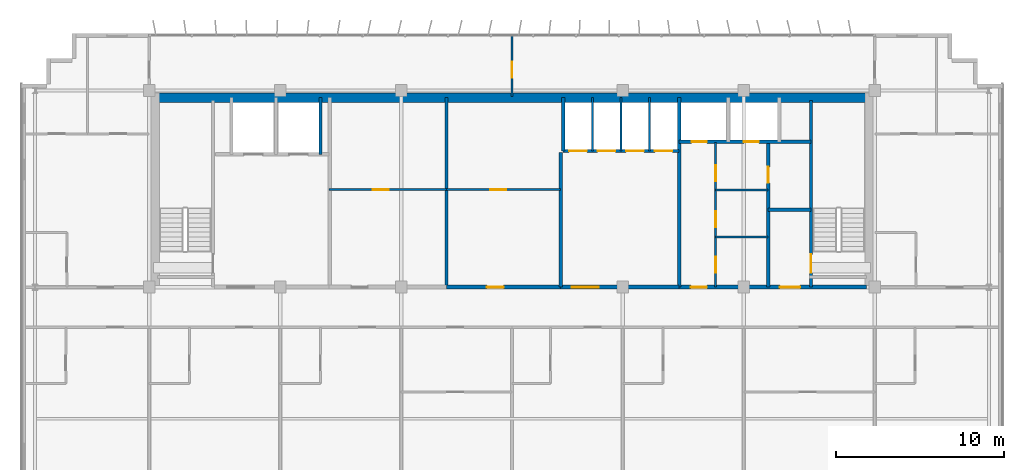
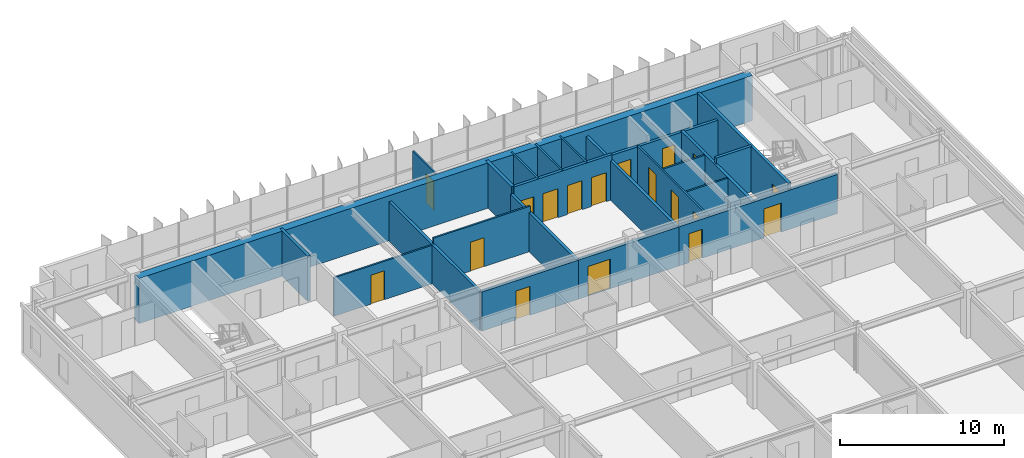
# One storey, part 20 of 23: 23 walls, 18 doors, 18 openings.
"""IFC4 building model written with IfcOpenShell, lengths in metres."""

from ifc_helpers import new_model, si_unit, direction, frame, frame_2d, origin, place, context, subcontext, project, spatial, rectangle, extrude, source, transform, mapped, material, layer, layer_set, type_object, element, fill, save


model = new_model("IFC4")

# Units and contexts
model_context = context("Model", 3, precision=1e-05, world=origin(), true_north=direction((0.0, 1.0)))
body_context = subcontext(model_context, "Body", "Model", "MODEL_VIEW")
ifc_project = project(units=[si_unit("LENGTHUNIT", "METRE"), si_unit("AREAUNIT", "SQUARE_METRE"), si_unit("VOLUMEUNIT", "CUBIC_METRE"), si_unit("PLANEANGLEUNIT", "RADIAN"), si_unit("MASSUNIT", "GRAM", prefix="KILO")], contexts=[model_context])

# Site, building, storey
site_placement = place(None, origin())
site = spatial("IfcSite", under=ifc_project, at=site_placement, CompositionType="ELEMENT")
building_placement = place(site_placement, origin())
building = spatial("IfcBuilding", under=site, at=building_placement, Name="Trelvane Seafront Commons", CompositionType="ELEMENT")
storey_placement = place(building_placement, frame((0.0, 0.0, 222.89990234375)))
storey = spatial("IfcBuildingStorey", under=building, at=storey_placement, Name="L58", CompositionType="ELEMENT", Elevation=222.89990234375)

# Wall, opening, door
ifc_material_1 = material(Name="Concrete C40/50", Category="concrete")
ifc_layer_1 = layer(ifc_material_1, 0.199951171875, Name="ARCH-WALL-FIRE200")
ifc_layer_set_1 = layer_set([ifc_layer_1], Name="Concrete C40/50")
wall_type_1 = type_object("IfcWallType", Name="ARCH-WALL-FIRE200", PredefinedType="PARTITIONING", material=ifc_layer_set_1)
wall_1_placement = place(storey_placement, frame((52.449951171875, 33.39990234375, 0.0), z_axis=(0.0, 0.0, 1.0), x_axis=(0.0, 1.0, 0.0)))
wall_1 = element("IfcWall", 1, at=wall_1_placement, inside=storey, type_object=wall_type_1, Name="W-L58-ST2V-W-030", PredefinedType="PARTITIONING", context=body_context, shape_type="SweptSolid", body=[
    extrude(rectangle(XDim=8.650146484375, YDim=0.199951171875, at=frame_2d((4.3251953125, 0.0))), origin(), (0.0, 0.0, 1.0), 2.91015625),
])
opening_1_placement = place(wall_1_placement, frame((6.199951171875, 0.0, 0.0)))
opening_1 = element("IfcOpeningElement", 2, at=opening_1_placement, cuts=wall_1, Name="Opening FD-L58-17", PredefinedType="OPENING", context=body_context, shape_type="SweptSolid", body=[
    extrude(rectangle(XDim=0.949951171875, YDim=2.14990234375, at=frame_2d((0.47509765625, 1.074951171875))), frame((0.0, 0.10986328125, 0.0), z_axis=(0.0, -1.0, 0.0), x_axis=(1.0, 0.0, 0.0)), (0.0, 0.0, 1.0), 0.219970703125),
])
ifc_material_2 = material(Name="Powder-coated aluminium frame", Category="aluminium")
door_type_1 = type_object("IfcDoorType", Name="ARCH-DR-FD60-950", OperationType="NOTDEFINED", PredefinedType="DOOR", material=ifc_material_2)
shared_shape_1 = source(origin(), body_context, "Body", "SweptSolid", [
    extrude(rectangle(XDim=0.949951171875, YDim=2.14990234375, at=frame_2d((0.47509765625, 1.074951171875))), frame((0.0, 0.02490234375, 0.0), z_axis=(0.0, -1.0, 0.0), x_axis=(1.0, 0.0, 0.0)), (0.0, 0.0, 1.0), 0.050048828125),
])
door_1_placement = place(opening_1_placement, origin())
door_1 = element("IfcDoor", 3, at=door_1_placement, inside=storey, type_object=door_type_1, Name="L58 Cleaner Store Door", OperationType="SINGLE_SWING_LEFT", OverallHeight=2.14990234375, OverallWidth=0.949951171875, PredefinedType="DOOR", context=body_context, shape_type="MappedRepresentation", body=[
    mapped(shared_shape_1, transform((0.0, 0.0, 0.0), x_axis=(1.0, 0.0, 0.0), y_axis=(0.0, 1.0, 0.0), z_axis=(0.0, 0.0, 1.0), scale=1.0)),
])
fill(opening_1, door_1)

# Wall
wall_2_placement = place(storey_placement, frame((52.449951171875, 38.0, 0.0), z_axis=(0.0, 0.0, 1.0), x_axis=(1.0, 0.0, 0.0)))
element("IfcWall", 4, at=wall_2_placement, inside=storey, type_object=wall_type_1, Name="W-L58-ST2V-N-031", PredefinedType="PARTITIONING", context=body_context, shape_type="SweptSolid", body=[
    extrude(rectangle(XDim=2.550048828125, YDim=0.199951171875, at=frame_2d((1.27490234375, 0.0))), origin(), (0.0, 0.0, 1.0), 3.360107421875),
])

# Wall, opening, door
ifc_layer_2 = layer(ifc_material_1, 0.25, Name="ARCH-WALL-FIRE250")
ifc_layer_set_2 = layer_set([ifc_layer_2], Name="Concrete C40/50")
wall_type_2 = type_object("IfcWallType", Name="ARCH-WALL-FIRE250", PredefinedType="PARTITIONING", material=ifc_layer_set_2)
wall_3_placement = place(storey_placement, frame((33.300048828125, 33.39990234375, 0.0), z_axis=(0.0, 0.0, 1.0), x_axis=(1.0, 0.0, 0.0)))
wall_3 = element("IfcWall", 5, at=wall_3_placement, inside=storey, type_object=wall_type_2, Name="W-L58-CS-FPM-025", PredefinedType="PARTITIONING", context=body_context, shape_type="SweptSolid", body=[
    extrude(rectangle(XDim=6.800048828125, YDim=0.25, at=frame_2d((3.39990234375, 0.0))), origin(), (0.0, 0.0, 1.0), 2.91015625),
])
opening_2_placement = place(wall_3_placement, frame((2.39990234375, 0.0, 0.0)))
opening_2 = element("IfcOpeningElement", 6, at=opening_2_placement, cuts=wall_3, Name="Opening FD-L58-13", PredefinedType="OPENING", context=body_context, shape_type="SweptSolid", body=[
    extrude(rectangle(XDim=1.0, YDim=2.14990234375, at=frame_2d((0.5, 1.074951171875))), frame((0.0, 0.135009765625, 0.0), z_axis=(0.0, -1.0, 0.0), x_axis=(1.0, 0.0, 0.0)), (0.0, 0.0, 1.0), 0.27001953125),
])
door_type_2 = type_object("IfcDoorType", Name="ARCH-DR-FD60-1000", OperationType="NOTDEFINED", PredefinedType="DOOR", material=ifc_material_2)
shared_shape_2 = source(origin(), body_context, "Body", "SweptSolid", [
    extrude(rectangle(XDim=1.0, YDim=2.14990234375, at=frame_2d((0.5, 1.074951171875))), frame((0.0, 0.02490234375, 0.0), z_axis=(0.0, -1.0, 0.0), x_axis=(1.0, 0.0, 0.0)), (0.0, 0.0, 1.0), 0.050048828125),
])
door_2_placement = place(opening_2_placement, origin())
door_2 = element("IfcDoor", 7, at=door_2_placement, inside=storey, type_object=door_type_2, Name="L58 Trunk Storage Door", OperationType="SINGLE_SWING_LEFT", OverallHeight=2.14990234375, OverallWidth=1.0, PredefinedType="DOOR", context=body_context, shape_type="MappedRepresentation", body=[
    mapped(shared_shape_2, transform((0.0, 0.0, 0.0), x_axis=(1.0, 0.0, 0.0), y_axis=(0.0, 1.0, 0.0), z_axis=(0.0, 0.0, 1.0), scale=1.0)),
])
fill(opening_2, door_2)

wall_4_placement = place(storey_placement, frame((40.10009765625, 33.39990234375, 0.0), z_axis=(0.0, 0.0, 1.0), x_axis=(1.0, 0.0, 0.0)))
wall_4 = element("IfcWall", 8, at=wall_4_placement, inside=storey, type_object=wall_type_2, Name="W-L58-CS-PAX-026", PredefinedType="PARTITIONING", context=body_context, shape_type="SweptSolid", body=[
    extrude(rectangle(XDim=7.0498046875, YDim=0.25, at=frame_2d((3.52490234375, 0.0))), origin(), (0.0, 0.0, 1.0), 2.91015625),
])
opening_3_placement = place(wall_4_placement, frame((0.64990234375, 0.0, 0.0)))
opening_3 = element("IfcOpeningElement", 9, at=opening_3_placement, cuts=wall_4, Name="Opening FD-L58-14", PredefinedType="OPENING", context=body_context, shape_type="SweptSolid", body=[
    extrude(rectangle(XDim=1.60009765625, YDim=2.199951171875, at=frame_2d((0.800048828125, 1.10009765625))), frame((0.0, 0.135009765625, 0.0), z_axis=(0.0, -1.0, 0.0), x_axis=(1.0, 0.0, 0.0)), (0.0, 0.0, 1.0), 0.27001953125),
])
door_type_3 = type_object("IfcDoorType", Name="ARCH-DR-FD60-1600", OperationType="DOUBLE_DOOR_SINGLE_SWING", PredefinedType="DOOR", material=ifc_material_2)
shared_shape_3 = source(origin(), body_context, "Body", "SweptSolid", [
    extrude(rectangle(XDim=1.60009765625, YDim=2.199951171875, at=frame_2d((0.800048828125, 1.10009765625))), frame((0.0, 0.02490234375, 0.0), z_axis=(0.0, -1.0, 0.0), x_axis=(1.0, 0.0, 0.0)), (0.0, 0.0, 1.0), 0.050048828125),
])
door_3_placement = place(opening_3_placement, origin())
door_3 = element("IfcDoor", 10, at=door_3_placement, inside=storey, type_object=door_type_3, Name="L58 High-Rise Lift Lobby Double Door", OperationType="DOUBLE_DOOR_SINGLE_SWING", OverallHeight=2.199951171875, OverallWidth=1.60009765625, PredefinedType="DOOR", context=body_context, shape_type="MappedRepresentation", body=[
    mapped(shared_shape_3, transform((0.0, 0.0, 0.0), x_axis=(1.0, 0.0, 0.0), y_axis=(0.0, 1.0, 0.0), z_axis=(0.0, 0.0, 1.0), scale=1.0)),
])
fill(opening_3, door_3)

# Wall, openings, doors
wall_5_placement = place(storey_placement, frame((47.14990234375, 33.39990234375, 0.0), z_axis=(0.0, 0.0, 1.0), x_axis=(1.0, 0.0, 0.0)))
wall_5 = element("IfcWall", 11, at=wall_5_placement, inside=storey, type_object=wall_type_2, Name="W-L58-CS-EAST-035", PredefinedType="PARTITIONING", context=body_context, shape_type="SweptSolid", body=[
    extrude(rectangle(XDim=11.150146484375, YDim=0.25, at=frame_2d((5.5751953125, 0.0))), origin(), (0.0, 0.0, 1.0), 2.91015625),
])
opening_4_placement = place(wall_5_placement, frame((0.699951171875, 0.0, 0.0)))
opening_4 = element("IfcOpeningElement", 12, at=opening_4_placement, cuts=wall_5, Name="Opening FD-L58-21", PredefinedType="OPENING", context=body_context, shape_type="SweptSolid", body=[
    extrude(rectangle(XDim=0.949951171875, YDim=2.14990234375, at=frame_2d((0.47509765625, 1.074951171875))), frame((0.0, 0.135009765625, 0.0), z_axis=(0.0, -1.0, 0.0), x_axis=(1.0, 0.0, 0.0)), (0.0, 0.0, 1.0), 0.27001953125),
])
opening_5_placement = place(wall_5_placement, frame((6.0, 0.0, 0.0)))
opening_5 = element("IfcOpeningElement", 13, at=opening_5_placement, cuts=wall_5, Name="Opening FD-L58-22", PredefinedType="OPENING", context=body_context, shape_type="SweptSolid", body=[
    extrude(rectangle(XDim=1.199951171875, YDim=2.14990234375, at=frame_2d((0.60009765625, 1.074951171875))), frame((0.0, 0.135009765625, 0.0), z_axis=(0.0, -1.0, 0.0), x_axis=(1.0, 0.0, 0.0)), (0.0, 0.0, 1.0), 0.27001953125),
])
door_4_placement = place(opening_4_placement, origin())
door_4 = element("IfcDoor", 14, at=door_4_placement, inside=storey, type_object=door_type_1, Name="L58 Core Service Lobby Door", OperationType="SINGLE_SWING_LEFT", OverallHeight=2.14990234375, OverallWidth=0.949951171875, PredefinedType="DOOR", context=body_context, shape_type="MappedRepresentation", body=[
    mapped(shared_shape_1, transform((0.0, 0.0, 0.0), x_axis=(1.0, 0.0, 0.0), y_axis=(0.0, 1.0, 0.0), z_axis=(0.0, 0.0, 1.0), scale=1.0)),
])
fill(opening_4, door_4)
door_type_4 = type_object("IfcDoorType", Name="ARCH-DR-FD60-1200", OperationType="NOTDEFINED", PredefinedType="DOOR", material=ifc_material_2)
shared_shape_4 = source(origin(), body_context, "Body", "SweptSolid", [
    extrude(rectangle(XDim=1.199951171875, YDim=2.14990234375, at=frame_2d((0.60009765625, 1.074951171875))), frame((0.0, 0.02490234375, 0.0), z_axis=(0.0, -1.0, 0.0), x_axis=(1.0, 0.0, 0.0)), (0.0, 0.0, 1.0), 0.050048828125),
])
door_5_placement = place(opening_5_placement, origin())
door_5 = element("IfcDoor", 15, at=door_5_placement, inside=storey, type_object=door_type_4, Name="L58 East Stair Vestibule Fire Door", OperationType="SINGLE_SWING_RIGHT", OverallHeight=2.14990234375, OverallWidth=1.199951171875, PredefinedType="DOOR", context=body_context, shape_type="MappedRepresentation", body=[
    mapped(shared_shape_4, transform((0.0, 0.0, 0.0), x_axis=(1.0, 0.0, 0.0), y_axis=(0.0, 1.0, 0.0), z_axis=(0.0, 0.0, 1.0), scale=1.0)),
])
fill(opening_5, door_5)

# Wall, opening, door
ifc_material_3 = material(Name="Gypsum Drywall Acoustic Partition")
ifc_layer_3 = layer(ifc_material_3, 0.1201171875, Name="ARCH-WALL-PART120")
ifc_layer_set_3 = layer_set([ifc_layer_3], Name="Gypsum Drywall Acoustic Partition")
wall_type_3 = type_object("IfcWallType", Name="ARCH-WALL-PART120", PredefinedType="PARTITIONING", material=ifc_layer_set_3)
wall_6_placement = place(storey_placement, frame((26.300048828125, 39.199951171875, 0.0), z_axis=(0.0, 0.0, 1.0), x_axis=(1.0, 0.0, 0.0)))
wall_6 = element("IfcWall", 16, at=wall_6_placement, inside=storey, type_object=wall_type_3, Name="W-L58-FREED-PL-MID-014", PredefinedType="PARTITIONING", context=body_context, shape_type="SweptSolid", body=[
    extrude(rectangle(XDim=7.0, YDim=0.1201171875, at=frame_2d((3.5, 0.0))), origin(), (0.0, 0.0, 1.0), 2.860107421875),
])
opening_6_placement = place(wall_6_placement, frame((2.60009765625, 0.0, 0.0)))
opening_6 = element("IfcOpeningElement", 17, at=opening_6_placement, cuts=wall_6, Name="Opening D-L58-06", PredefinedType="OPENING", context=body_context, shape_type="SweptSolid", body=[
    extrude(rectangle(XDim=0.949951171875, YDim=2.14990234375, at=frame_2d((0.47509765625, 1.074951171875))), frame((0.0, 0.070068359375, 0.0), z_axis=(0.0, -1.0, 0.0), x_axis=(1.0, 0.0, 0.0)), (0.0, 0.0, 1.0), 0.14013671875),
])
ifc_material_4 = material(Name="Acoustic timber door leaf", Category="wood")
door_type_5 = type_object("IfcDoorType", Name="ARCH-DR-INT950", OperationType="NOTDEFINED", PredefinedType="DOOR", material=ifc_material_4)
door_6_placement = place(opening_6_placement, origin())
door_6 = element("IfcDoor", 18, at=door_6_placement, inside=storey, type_object=door_type_5, Name="L58 Housekeeping Store Door", OperationType="SINGLE_SWING_RIGHT", OverallHeight=2.14990234375, OverallWidth=0.949951171875, PredefinedType="DOOR", context=body_context, shape_type="MappedRepresentation", body=[
    mapped(shared_shape_1, transform((0.0, 0.0, 0.0), x_axis=(1.0, 0.0, 0.0), y_axis=(0.0, 1.0, 0.0), z_axis=(0.0, 0.0, 1.0), scale=1.0)),
])
fill(opening_6, door_6)

wall_7_placement = place(storey_placement, frame((33.300048828125, 39.199951171875, 0.0), z_axis=(0.0, 0.0, 1.0), x_axis=(1.0, 0.0, 0.0)))
wall_7 = element("IfcWall", 19, at=wall_7_placement, inside=storey, type_object=wall_type_3, Name="W-L58-FREED-PM-MID-016", PredefinedType="PARTITIONING", context=body_context, shape_type="SweptSolid", body=[
    extrude(rectangle(XDim=6.800048828125, YDim=0.1201171875, at=frame_2d((3.39990234375, 0.0))), origin(), (0.0, 0.0, 1.0), 3.360107421875),
])
opening_7_placement = place(wall_7_placement, frame((2.60009765625, 0.0, 0.0)))
opening_7 = element("IfcOpeningElement", 20, at=opening_7_placement, cuts=wall_7, Name="Opening D-L58-07", PredefinedType="OPENING", context=body_context, shape_type="SweptSolid", body=[
    extrude(rectangle(XDim=0.949951171875, YDim=2.14990234375, at=frame_2d((0.47509765625, 1.074951171875))), frame((0.0, 0.070068359375, 0.0), z_axis=(0.0, -1.0, 0.0), x_axis=(1.0, 0.0, 0.0)), (0.0, 0.0, 1.0), 0.14013671875),
])
door_7_placement = place(opening_7_placement, origin())
door_7 = element("IfcDoor", 21, at=door_7_placement, inside=storey, type_object=door_type_5, Name="L58 IT Comms Room Door", OperationType="SINGLE_SWING_LEFT", OverallHeight=2.14990234375, OverallWidth=0.949951171875, PredefinedType="DOOR", context=body_context, shape_type="MappedRepresentation", body=[
    mapped(shared_shape_1, transform((0.0, 0.0, 0.0), x_axis=(1.0, 0.0, 0.0), y_axis=(0.0, 1.0, 0.0), z_axis=(0.0, 0.0, 1.0), scale=1.0)),
])
fill(opening_7, door_7)

# Walls
for number, where, z_axis, x_axis, name in (
    (22, (42.0, 41.5, 0.0), (0.0, 0.0, 1.0), (0.0, 1.0, 0.0), "W-L58-PH-DIV1-020"),
    (23, (43.699951171875, 41.5, 0.0), (0.0, 0.0, 1.0), (0.0, 1.0, 0.0), "W-L58-PH-DIV2-021"),
    (24, (45.39990234375, 41.5, 0.0), (0.0, 0.0, 1.0), (0.0, 1.0, 0.0), "W-L58-PH-DIV3-022"),
):
    element("IfcWall", number, at=place(storey_placement, frame(where, z_axis=z_axis, x_axis=x_axis)), inside=storey, type_object=wall_type_3, Name=name, PredefinedType="PARTITIONING", context=body_context, shape_type="SweptSolid", body=[
        extrude(rectangle(XDim=3.199951171875, YDim=0.1201171875, at=frame_2d((1.60009765625, 0.0))), origin(), (0.0, 0.0, 1.0), 3.360107421875),
    ])

# Wall, openings, doors
wall_8_placement = place(storey_placement, frame((49.320068359375, 33.39990234375, 0.0), z_axis=(0.0, 0.0, 1.0), x_axis=(0.0, 1.0, 0.0)))
wall_8 = element("IfcWall", 25, at=wall_8_placement, inside=storey, type_object=wall_type_3, Name="W-L58-CYC3-V-032", PredefinedType="PARTITIONING", context=body_context, shape_type="SweptSolid", body=[
    extrude(rectangle(XDim=8.60009765625, YDim=0.1201171875, at=frame_2d((4.300048828125, 0.0))), origin(), (0.0, 0.0, 1.0), 2.91015625),
])
opening_8_placement = place(wall_8_placement, frame((0.85009765625, 0.0, 0.0)))
opening_8 = element("IfcOpeningElement", 26, at=opening_8_placement, cuts=wall_8, Name="Opening D-L58-18", PredefinedType="OPENING", context=body_context, shape_type="SweptSolid", body=[
    extrude(rectangle(XDim=0.949951171875, YDim=2.14990234375, at=frame_2d((0.47509765625, 1.074951171875))), frame((0.0, 0.070068359375, 0.0), z_axis=(0.0, -1.0, 0.0), x_axis=(1.0, 0.0, 0.0)), (0.0, 0.0, 1.0), 0.14013671875),
])
opening_9_placement = place(wall_8_placement, frame((3.550048828125, 0.0, 0.0)))
opening_9 = element("IfcOpeningElement", 27, at=opening_9_placement, cuts=wall_8, Name="Opening D-L58-19", PredefinedType="OPENING", context=body_context, shape_type="SweptSolid", body=[
    extrude(rectangle(XDim=0.949951171875, YDim=2.14990234375, at=frame_2d((0.47509765625, 1.074951171875))), frame((0.0, 0.070068359375, 0.0), z_axis=(0.0, -1.0, 0.0), x_axis=(1.0, 0.0, 0.0)), (0.0, 0.0, 1.0), 0.14013671875),
])
opening_10_placement = place(wall_8_placement, frame((6.300048828125, 0.0, 0.0)))
opening_10 = element("IfcOpeningElement", 28, at=opening_10_placement, cuts=wall_8, Name="Opening D-L58-20", PredefinedType="OPENING", context=body_context, shape_type="SweptSolid", body=[
    extrude(rectangle(XDim=0.949951171875, YDim=2.14990234375, at=frame_2d((0.47509765625, 1.074951171875))), frame((0.0, 0.070068359375, 0.0), z_axis=(0.0, -1.0, 0.0), x_axis=(1.0, 0.0, 0.0)), (0.0, 0.0, 1.0), 0.14013671875),
])
door_8_placement = place(opening_8_placement, origin())
door_8 = element("IfcDoor", 29, at=door_8_placement, inside=storey, type_object=door_type_5, Name="L58 Accessible WC Door", OperationType="SINGLE_SWING_RIGHT", OverallHeight=2.14990234375, OverallWidth=0.949951171875, PredefinedType="DOOR", context=body_context, shape_type="MappedRepresentation", body=[
    mapped(shared_shape_1, transform((0.0, 0.0, 0.0), x_axis=(1.0, 0.0, 0.0), y_axis=(0.0, 1.0, 0.0), z_axis=(0.0, 0.0, 1.0), scale=1.0)),
])
fill(opening_8, door_8)
door_9_placement = place(opening_9_placement, origin())
door_9 = element("IfcDoor", 30, at=door_9_placement, inside=storey, type_object=door_type_5, Name="L58 Staff WC Door", OperationType="SINGLE_SWING_LEFT", OverallHeight=2.14990234375, OverallWidth=0.949951171875, PredefinedType="DOOR", context=body_context, shape_type="MappedRepresentation", body=[
    mapped(shared_shape_1, transform((0.0, 0.0, 0.0), x_axis=(1.0, 0.0, 0.0), y_axis=(0.0, 1.0, 0.0), z_axis=(0.0, 0.0, 1.0), scale=1.0)),
])
fill(opening_9, door_9)
door_10_placement = place(opening_10_placement, origin())
door_10 = element("IfcDoor", 31, at=door_10_placement, inside=storey, type_object=door_type_5, Name="L58 Electrical Room Door", OperationType="SINGLE_SWING_RIGHT", OverallHeight=2.14990234375, OverallWidth=0.949951171875, PredefinedType="DOOR", context=body_context, shape_type="MappedRepresentation", body=[
    mapped(shared_shape_1, transform((0.0, 0.0, 0.0), x_axis=(1.0, 0.0, 0.0), y_axis=(0.0, 1.0, 0.0), z_axis=(0.0, 0.0, 1.0), scale=1.0)),
])
fill(opening_10, door_10)

# Walls
for number, where, z_axis, x_axis, name in (
    (32, (49.320068359375, 36.3798828125, 0.0), (0.0, 0.0, 1.0), (1.0, 0.0, 0.0), "W-L58-CYC3-H1-033"),
    (33, (49.320068359375, 39.179931640625, 0.0), (0.0, 0.0, 1.0), (1.0, 0.0, 0.0), "W-L58-CYC3-H2-034"),
):
    element("IfcWall", number, at=place(storey_placement, frame(where, z_axis=z_axis, x_axis=x_axis)), inside=storey, type_object=wall_type_3, Name=name, PredefinedType="PARTITIONING", context=body_context, shape_type="SweptSolid", body=[
        extrude(rectangle(XDim=3.1298828125, YDim=0.1201171875, at=frame_2d((1.56494140625, 0.0))), origin(), (0.0, 0.0, 1.0), 2.860107421875),
    ])

# Wall, opening, door
wall_9_placement = place(storey_placement, frame((37.199951171875, 44.75, 0.0), z_axis=(0.0, 0.0, 1.0), x_axis=(0.0, 1.0, 0.0)))
wall_9 = element("IfcWall", 34, at=wall_9_placement, inside=storey, type_object=wall_type_3, Name="W-L58-N-MID-DV-048", PredefinedType="PARTITIONING", context=body_context, shape_type="SweptSolid", body=[
    extrude(rectangle(XDim=3.610107421875, YDim=0.1201171875, at=frame_2d((1.80517578125, 0.0))), origin(), (0.0, 0.0, 1.0), 2.91015625),
])
opening_11_placement = place(wall_9_placement, frame((1.10009765625, 0.0, 0.0)))
opening_11 = element("IfcOpeningElement", 35, at=opening_11_placement, cuts=wall_9, Name="Opening D-L58-31", PredefinedType="OPENING", context=body_context, shape_type="SweptSolid", body=[
    extrude(rectangle(XDim=0.949951171875, YDim=2.14990234375, at=frame_2d((0.47509765625, 1.074951171875))), frame((0.0, 0.070068359375, 0.0), z_axis=(0.0, -1.0, 0.0), x_axis=(1.0, 0.0, 0.0)), (0.0, 0.0, 1.0), 0.14013671875),
])
door_11_placement = place(opening_11_placement, origin())
door_11 = element("IfcDoor", 36, at=door_11_placement, inside=storey, type_object=door_type_5, Name="L58 Door 31", OperationType="SINGLE_SWING_LEFT", OverallHeight=2.14990234375, OverallWidth=0.949951171875, PredefinedType="DOOR", context=body_context, shape_type="MappedRepresentation", body=[
    mapped(shared_shape_1, transform((0.0, 0.0, 0.0), x_axis=(1.0, 0.0, 0.0), y_axis=(0.0, 1.0, 0.0), z_axis=(0.0, 0.0, 1.0), scale=1.0)),
])
fill(opening_11, door_11)

# Walls
ifc_layer_4 = layer(ifc_material_1, 0.199951171875, Name="ARCH-WALL-SHAFT200")
ifc_layer_set_4 = layer_set([ifc_layer_4], Name="Concrete C40/50")
wall_type_4 = type_object("IfcWallType", Name="ARCH-WALL-SHAFT200", PredefinedType="SOLIDWALL", material=ifc_layer_set_4)
wall_10_placement = place(storey_placement, frame((25.800048828125, 41.300048828125, 0.0), z_axis=(0.0, 0.0, 1.0), x_axis=(0.0, 1.0, 0.0)))
element("IfcWall", 37, at=wall_10_placement, inside=storey, type_object=wall_type_4, Name="W-L58-FFL-SH-E-011", PredefinedType="SOLIDWALL", context=body_context, shape_type="SweptSolid", body=[
    extrude(rectangle(XDim=3.39990234375, YDim=0.199951171875, at=frame_2d((1.699951171875, 0.0))), origin(), (0.0, 0.0, 1.0), 3.360107421875),
])
wall_11_placement = place(storey_placement, frame((33.300048828125, 33.39990234375, 0.0), z_axis=(0.0, 0.0, 1.0), x_axis=(0.0, 1.0, 0.0)))
element("IfcWall", 38, at=wall_11_placement, inside=storey, type_object=wall_type_4, Name="W-L58-FREED-PL-E-015", PredefinedType="SOLIDWALL", context=body_context, shape_type="SweptSolid", body=[
    extrude(rectangle(XDim=11.300048828125, YDim=0.199951171875, at=frame_2d((5.64990234375, 0.0))), origin(), (0.0, 0.0, 1.0), 2.91015625),
])
wall_12_placement = place(storey_placement, frame((40.10009765625, 33.39990234375, 0.0), z_axis=(0.0, 0.0, 1.0), x_axis=(0.0, 1.0, 0.0)))
element("IfcWall", 39, at=wall_12_placement, inside=storey, type_object=wall_type_4, Name="W-L58-FREED-PM-E-017", PredefinedType="SOLIDWALL", context=body_context, shape_type="SweptSolid", body=[
    extrude(rectangle(XDim=8.0, YDim=0.199951171875, at=frame_2d((4.0, 0.0))), origin(), (0.0, 0.0, 1.0), 2.91015625),
])

# Wall, openings, doors
wall_13_placement = place(storey_placement, frame((40.25, 41.5, 0.0), z_axis=(0.0, 0.0, 1.0), x_axis=(1.0, 0.0, 0.0)))
wall_13 = element("IfcWall", 40, at=wall_13_placement, inside=storey, type_object=wall_type_4, Name="W-L58-PH-FRONT-018", PredefinedType="SOLIDWALL", context=body_context, shape_type="SweptSolid", body=[
    extrude(rectangle(XDim=6.89990234375, YDim=0.199951171875, at=frame_2d((3.449951171875, 0.0))), origin(), (0.0, 0.0, 1.0), 3.360107421875),
])
opening_12_placement = place(wall_13_placement, frame((0.35009765625, 0.0, 0.0)))
opening_12 = element("IfcOpeningElement", 41, at=opening_12_placement, cuts=wall_13, Name="Opening LD-PH1-L58", PredefinedType="OPENING", context=body_context, shape_type="SweptSolid", body=[
    extrude(rectangle(XDim=1.050048828125, YDim=2.14990234375, at=frame_2d((0.52490234375, 1.074951171875))), frame((0.0, 0.10986328125, 0.0), z_axis=(0.0, -1.0, 0.0), x_axis=(1.0, 0.0, 0.0)), (0.0, 0.0, 1.0), 0.219970703125),
])
opening_13_placement = place(wall_13_placement, frame((2.050048828125, 0.0, 0.0)))
opening_13 = element("IfcOpeningElement", 42, at=opening_13_placement, cuts=wall_13, Name="Opening LD-PH2-L58", PredefinedType="OPENING", context=body_context, shape_type="SweptSolid", body=[
    extrude(rectangle(XDim=1.050048828125, YDim=2.14990234375, at=frame_2d((0.52490234375, 1.074951171875))), frame((0.0, 0.10986328125, 0.0), z_axis=(0.0, -1.0, 0.0), x_axis=(1.0, 0.0, 0.0)), (0.0, 0.0, 1.0), 0.219970703125),
])
opening_14_placement = place(wall_13_placement, frame((3.75, 0.0, 0.0)))
opening_14 = element("IfcOpeningElement", 43, at=opening_14_placement, cuts=wall_13, Name="Opening LD-PH3-L58", PredefinedType="OPENING", context=body_context, shape_type="SweptSolid", body=[
    extrude(rectangle(XDim=1.050048828125, YDim=2.14990234375, at=frame_2d((0.52490234375, 1.074951171875))), frame((0.0, 0.10986328125, 0.0), z_axis=(0.0, -1.0, 0.0), x_axis=(1.0, 0.0, 0.0)), (0.0, 0.0, 1.0), 0.219970703125),
])
opening_15_placement = place(wall_13_placement, frame((5.449951171875, 0.0, 0.0)))
opening_15 = element("IfcOpeningElement", 44, at=opening_15_placement, cuts=wall_13, Name="Opening LD-PH4-L58", PredefinedType="OPENING", context=body_context, shape_type="SweptSolid", body=[
    extrude(rectangle(XDim=1.050048828125, YDim=2.14990234375, at=frame_2d((0.52490234375, 1.074951171875))), frame((0.0, 0.10986328125, 0.0), z_axis=(0.0, -1.0, 0.0), x_axis=(1.0, 0.0, 0.0)), (0.0, 0.0, 1.0), 0.219970703125),
])
ifc_material_5 = material(Name="Stainless steel balustrade", Category="steel")
door_type_6 = type_object("IfcDoorType", Name="ARCH-DR-LD1050", OperationType="DOUBLE_DOOR_SLIDING", PredefinedType="DOOR", material=ifc_material_5)
shared_shape_5 = source(origin(), body_context, "Body", "SweptSolid", [
    extrude(rectangle(XDim=1.050048828125, YDim=2.14990234375, at=frame_2d((0.52490234375, 1.074951171875))), frame((0.0, 0.02490234375, 0.0), z_axis=(0.0, -1.0, 0.0), x_axis=(1.0, 0.0, 0.0)), (0.0, 0.0, 1.0), 0.050048828125),
])
door_12_placement = place(opening_12_placement, origin())
door_12 = element("IfcDoor", 45, at=door_12_placement, inside=storey, type_object=door_type_6, Name="L58 Passenger Lift PH-1 Landing Door", OperationType="DOUBLE_DOOR_SLIDING", OverallHeight=2.14990234375, OverallWidth=1.050048828125, PredefinedType="DOOR", context=body_context, shape_type="MappedRepresentation", body=[
    mapped(shared_shape_5, transform((0.0, 0.0, 0.0), x_axis=(1.0, 0.0, 0.0), y_axis=(0.0, 1.0, 0.0), z_axis=(0.0, 0.0, 1.0), scale=1.0)),
])
fill(opening_12, door_12)
door_13_placement = place(opening_13_placement, origin())
door_13 = element("IfcDoor", 46, at=door_13_placement, inside=storey, type_object=door_type_6, Name="L58 Passenger Lift PH-2 Landing Door", OperationType="DOUBLE_DOOR_SLIDING", OverallHeight=2.14990234375, OverallWidth=1.050048828125, PredefinedType="DOOR", context=body_context, shape_type="MappedRepresentation", body=[
    mapped(shared_shape_5, transform((0.0, 0.0, 0.0), x_axis=(1.0, 0.0, 0.0), y_axis=(0.0, 1.0, 0.0), z_axis=(0.0, 0.0, 1.0), scale=1.0)),
])
fill(opening_13, door_13)
door_14_placement = place(opening_14_placement, origin())
door_14 = element("IfcDoor", 47, at=door_14_placement, inside=storey, type_object=door_type_6, Name="L58 Passenger Lift PH-3 Landing Door", OperationType="DOUBLE_DOOR_SLIDING", OverallHeight=2.14990234375, OverallWidth=1.050048828125, PredefinedType="DOOR", context=body_context, shape_type="MappedRepresentation", body=[
    mapped(shared_shape_5, transform((0.0, 0.0, 0.0), x_axis=(1.0, 0.0, 0.0), y_axis=(0.0, 1.0, 0.0), z_axis=(0.0, 0.0, 1.0), scale=1.0)),
])
fill(opening_14, door_14)
door_15_placement = place(opening_15_placement, origin())
door_15 = element("IfcDoor", 48, at=door_15_placement, inside=storey, type_object=door_type_6, Name="L58 Passenger Lift PH-4 Landing Door", OperationType="DOUBLE_DOOR_SLIDING", OverallHeight=2.14990234375, OverallWidth=1.050048828125, PredefinedType="DOOR", context=body_context, shape_type="MappedRepresentation", body=[
    mapped(shared_shape_5, transform((0.0, 0.0, 0.0), x_axis=(1.0, 0.0, 0.0), y_axis=(0.0, 1.0, 0.0), z_axis=(0.0, 0.0, 1.0), scale=1.0)),
])
fill(opening_15, door_15)

# Walls
wall_14_placement = place(storey_placement, frame((40.25, 41.5, 0.0), z_axis=(0.0, 0.0, 1.0), x_axis=(0.0, 1.0, 0.0)))
element("IfcWall", 49, at=wall_14_placement, inside=storey, type_object=wall_type_4, Name="W-L58-PH-WEST-SH-019", PredefinedType="SOLIDWALL", context=body_context, shape_type="SweptSolid", body=[
    extrude(rectangle(XDim=3.199951171875, YDim=0.199951171875, at=frame_2d((1.60009765625, 0.0))), origin(), (0.0, 0.0, 1.0), 3.360107421875),
])
wall_15_placement = place(storey_placement, frame((47.14990234375, 33.39990234375, 0.0), z_axis=(0.0, 0.0, 1.0), x_axis=(0.0, 1.0, 0.0)))
element("IfcWall", 50, at=wall_15_placement, inside=storey, type_object=wall_type_4, Name="W-L58-PH-EAST-023", PredefinedType="SOLIDWALL", context=body_context, shape_type="SweptSolid", body=[
    extrude(rectangle(XDim=11.300048828125, YDim=0.199951171875, at=frame_2d((5.64990234375, 0.0))), origin(), (0.0, 0.0, 1.0), 2.91015625),
])

# Wall, openings, doors
wall_16_placement = place(storey_placement, frame((47.14990234375, 42.050048828125, 0.0), z_axis=(0.0, 0.0, 1.0), x_axis=(1.0, 0.0, 0.0)))
wall_16 = element("IfcWall", 51, at=wall_16_placement, inside=storey, type_object=wall_type_4, Name="W-L58-RSR-S-027", PredefinedType="SOLIDWALL", context=body_context, shape_type="SweptSolid", body=[
    extrude(rectangle(XDim=7.85009765625, YDim=0.199951171875, at=frame_2d((3.925048828125, 0.0))), origin(), (0.0, 0.0, 1.0), 2.860107421875),
])
opening_16_placement = place(wall_16_placement, frame((0.75, 0.0, 0.0)))
opening_16 = element("IfcOpeningElement", 52, at=opening_16_placement, cuts=wall_16, Name="Opening FD-L58-15", PredefinedType="OPENING", context=body_context, shape_type="SweptSolid", body=[
    extrude(rectangle(XDim=0.89990234375, YDim=2.10009765625, at=frame_2d((0.449951171875, 1.050048828125))), frame((0.0, 0.10986328125, 0.0), z_axis=(0.0, -1.0, 0.0), x_axis=(1.0, 0.0, 0.0)), (0.0, 0.0, 1.0), 0.219970703125),
])
opening_17_placement = place(wall_16_placement, frame((3.85009765625, 0.0, 0.0)))
opening_17 = element("IfcOpeningElement", 53, at=opening_17_placement, cuts=wall_16, Name="Opening FD-L58-16", PredefinedType="OPENING", context=body_context, shape_type="SweptSolid", body=[
    extrude(rectangle(XDim=0.89990234375, YDim=2.10009765625, at=frame_2d((0.449951171875, 1.050048828125))), frame((0.0, 0.10986328125, 0.0), z_axis=(0.0, -1.0, 0.0), x_axis=(1.0, 0.0, 0.0)), (0.0, 0.0, 1.0), 0.219970703125),
])
door_type_7 = type_object("IfcDoorType", Name="ARCH-DR-FD60-900", OperationType="NOTDEFINED", PredefinedType="DOOR", material=ifc_material_2)
shared_shape_6 = source(origin(), body_context, "Body", "SweptSolid", [
    extrude(rectangle(XDim=0.89990234375, YDim=2.10009765625, at=frame_2d((0.449951171875, 1.050048828125))), frame((0.0, 0.02490234375, 0.0), z_axis=(0.0, -1.0, 0.0), x_axis=(1.0, 0.0, 0.0)), (0.0, 0.0, 1.0), 0.050048828125),
])
door_16_placement = place(opening_16_placement, origin())
door_16 = element("IfcDoor", 54, at=door_16_placement, inside=storey, type_object=door_type_7, Name="L58 Electrical Riser Access Door", OperationType="SINGLE_SWING_LEFT", OverallHeight=2.10009765625, OverallWidth=0.89990234375, PredefinedType="DOOR", context=body_context, shape_type="MappedRepresentation", body=[
    mapped(shared_shape_6, transform((0.0, 0.0, 0.0), x_axis=(1.0, 0.0, 0.0), y_axis=(0.0, 1.0, 0.0), z_axis=(0.0, 0.0, 1.0), scale=1.0)),
])
fill(opening_16, door_16)
door_17_placement = place(opening_17_placement, origin())
door_17 = element("IfcDoor", 55, at=door_17_placement, inside=storey, type_object=door_type_7, Name="L58 Mechanical Riser Access Door", OperationType="SINGLE_SWING_RIGHT", OverallHeight=2.10009765625, OverallWidth=0.89990234375, PredefinedType="DOOR", context=body_context, shape_type="MappedRepresentation", body=[
    mapped(shared_shape_6, transform((0.0, 0.0, 0.0), x_axis=(1.0, 0.0, 0.0), y_axis=(0.0, 1.0, 0.0), z_axis=(0.0, 0.0, 1.0), scale=1.0)),
])
fill(opening_17, door_17)

# Wall
ifc_material_6 = material(Name="Concrete C50/60", Category="concrete")
ifc_layer_5 = layer(ifc_material_6, 0.550048828125, Name="STR-WALL-CORE550")
ifc_layer_set_5 = layer_set([ifc_layer_5], Name="Concrete C50/60")
wall_type_5 = type_object("IfcWallType", Name="STR-WALL-CORE550", PredefinedType="SHEAR", material=ifc_layer_set_5)
wall_17_placement = place(storey_placement, frame((15.64990234375, 44.675048828125, 0.0), z_axis=(0.0, 0.0, 1.0), x_axis=(1.0, 0.0, 0.0)))
element("IfcWall", 56, at=wall_17_placement, inside=storey, type_object=wall_type_5, Name="W-L58-CN-ALL-001", PredefinedType="SHEAR", context=body_context, shape_type="SweptSolid", body=[
    extrude(rectangle(XDim=43.10009765625, YDim=0.550048828125, at=frame_2d((21.550048828125, 0.0))), origin(), (0.0, 0.0, 1.0), 3.360107421875),
])

# Wall, opening, door
ifc_layer_6 = layer(ifc_material_6, 0.199951171875, Name="STR-WALL-STAIR200")
ifc_layer_set_6 = layer_set([ifc_layer_6], Name="Concrete C50/60")
wall_type_6 = type_object("IfcWallType", Name="STR-WALL-STAIR200", PredefinedType="SHEAR", material=ifc_layer_set_6)
wall_18_placement = place(storey_placement, frame((55.0, 33.39990234375, 0.0), z_axis=(0.0, 0.0, 1.0), x_axis=(0.0, 1.0, 0.0)))
wall_18 = element("IfcWall", 57, at=wall_18_placement, inside=storey, type_object=wall_type_6, Name="W-L58-ST2-W-007", PredefinedType="SHEAR", context=body_context, shape_type="SweptSolid", body=[
    extrude(rectangle(XDim=11.10009765625, YDim=0.199951171875, at=frame_2d((5.550048828125, 0.0))), origin(), (0.0, 0.0, 1.0), 3.360107421875),
])
opening_18_placement = place(wall_18_placement, frame((0.85009765625, 0.0, 0.0)))
opening_18 = element("IfcOpeningElement", 58, at=opening_18_placement, cuts=wall_18, Name="Opening ST-D2-L58", PredefinedType="OPENING", context=body_context, shape_type="SweptSolid", body=[
    extrude(rectangle(XDim=1.10009765625, YDim=2.14990234375, at=frame_2d((0.550048828125, 1.074951171875))), frame((0.0, 0.10986328125, 0.0), z_axis=(0.0, -1.0, 0.0), x_axis=(1.0, 0.0, 0.0)), (0.0, 0.0, 1.0), 0.219970703125),
])
door_type_8 = type_object("IfcDoorType", Name="ARCH-DR-FD90-1100", OperationType="NOTDEFINED", PredefinedType="DOOR", material=ifc_material_2)
shared_shape_7 = source(origin(), body_context, "Body", "SweptSolid", [
    extrude(rectangle(XDim=1.10009765625, YDim=2.14990234375, at=frame_2d((0.550048828125, 1.074951171875))), frame((0.0, 0.02490234375, 0.0), z_axis=(0.0, -1.0, 0.0), x_axis=(1.0, 0.0, 0.0)), (0.0, 0.0, 1.0), 0.050048828125),
])
door_18_placement = place(opening_18_placement, origin())
door_18 = element("IfcDoor", 59, at=door_18_placement, inside=storey, type_object=door_type_8, Name="L58 Stair ST-2 Vestibule Fire Door", OperationType="SINGLE_SWING_RIGHT", OverallHeight=2.14990234375, OverallWidth=1.10009765625, PredefinedType="DOOR", context=body_context, shape_type="MappedRepresentation", body=[
    mapped(shared_shape_7, transform((0.0, 0.0, 0.0), x_axis=(1.0, 0.0, 0.0), y_axis=(0.0, 1.0, 0.0), z_axis=(0.0, 0.0, 1.0), scale=1.0)),
])
fill(opening_18, door_18)

save(model, "model.ifc")
